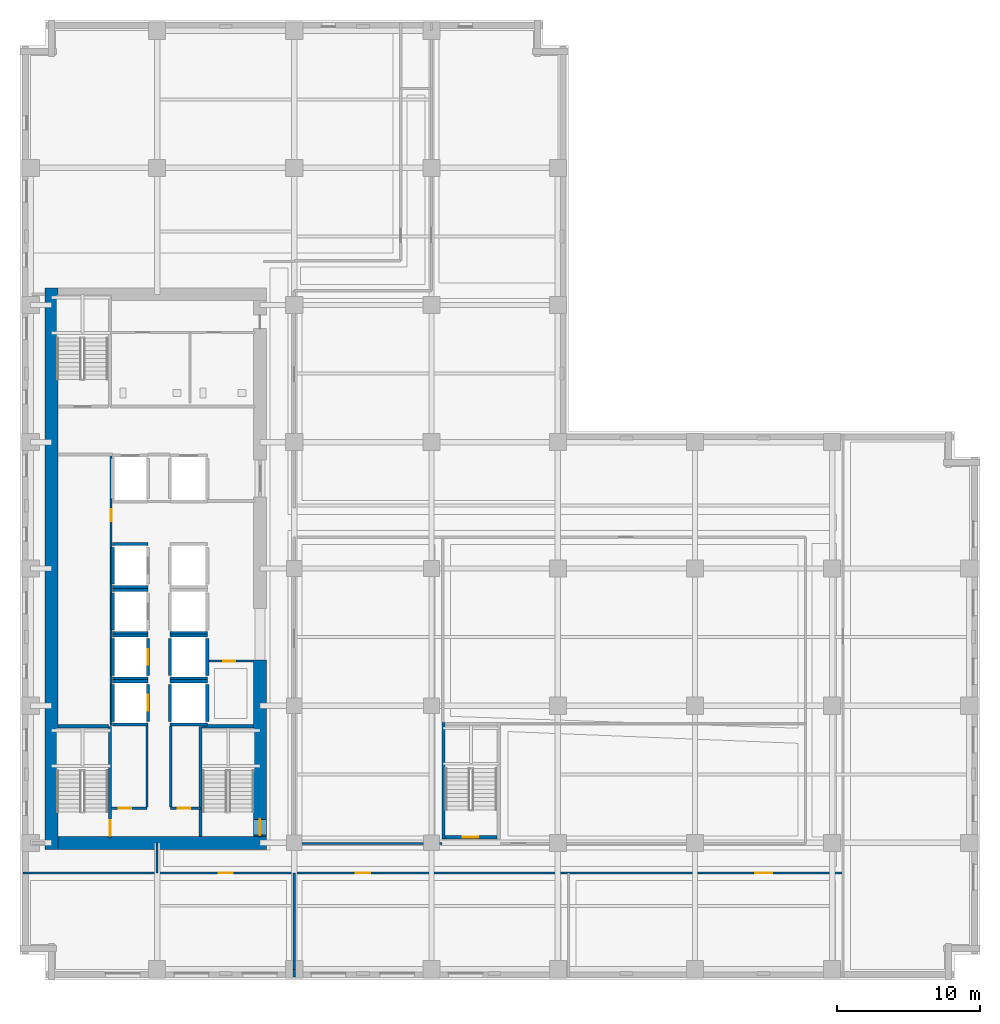
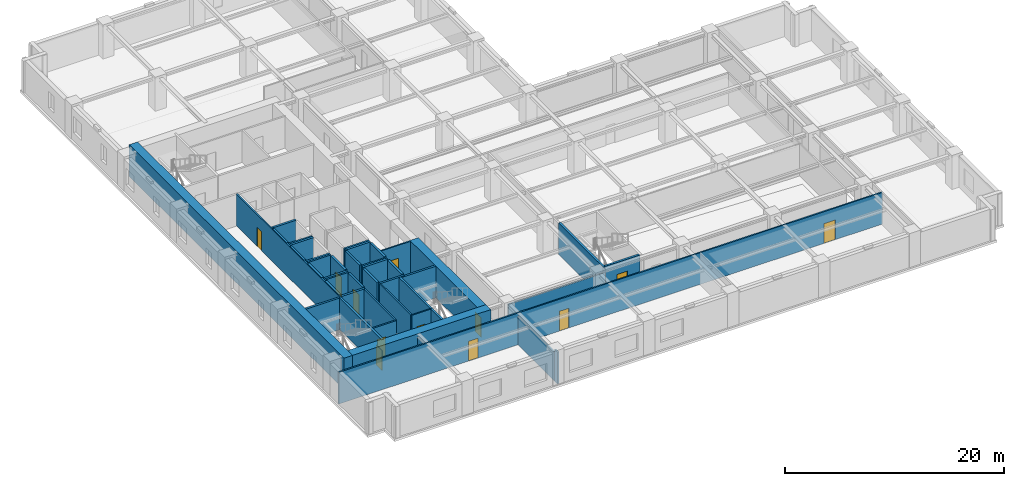
# One storey, part 4 of 13: 43 walls, 12 doors, 12 openings.
"""IFC4 building model written with IfcOpenShell, lengths in metres."""

from ifc_helpers import new_model, si_unit, direction, frame, frame_2d, origin, place, context, subcontext, project, spatial, rectangle, extrude, material, layer, layer_set, type_object, element, fill, save


model = new_model("IFC4")

# Units and contexts
model_context = context("Model", 3, precision=1e-05, world=origin(), true_north=direction((0.0, 1.0)))
body_context = subcontext(model_context, "Body", "Model", "MODEL_VIEW")
ifc_project = project(units=[si_unit("LENGTHUNIT", "METRE"), si_unit("AREAUNIT", "SQUARE_METRE"), si_unit("VOLUMEUNIT", "CUBIC_METRE"), si_unit("PLANEANGLEUNIT", "RADIAN"), si_unit("MASSUNIT", "GRAM", prefix="KILO")], contexts=[model_context])

# Site, building, storey
site_placement = place(None, origin())
site = spatial("IfcSite", under=ifc_project, at=site_placement, CompositionType="ELEMENT")
building_placement = place(site_placement, origin())
building = spatial("IfcBuilding", under=site, at=building_placement, Name="Norrvale University Quadrangle", CompositionType="ELEMENT")
storey_placement = place(building_placement, frame((0.0, 0.0, 47.0)))
storey = spatial("IfcBuildingStorey", under=building, at=storey_placement, Name="L11", CompositionType="ELEMENT", Elevation=47.0)

# Walls
ifc_material_1 = material(Name="Concrete C80/95", Category="concrete")
ifc_layer_1 = layer(ifc_material_1, 0.89990234375, Name="Concrete C80/95")
ifc_layer_set_1 = layer_set([ifc_layer_1], Name="Concrete C80/95")
wall_type_1 = type_object("IfcWallType", Name="Wall Core 900", PredefinedType="SHEAR", material=ifc_layer_set_1)
wall_1_placement = place(storey_placement, frame((2.64990234375, 9.60009765625, 0.0), z_axis=(0.0, 0.0, 1.0), x_axis=(1.0, 0.0, 0.0)))
element("IfcWall", 1, at=wall_1_placement, inside=storey, type_object=wall_type_1, Name="Tower Core Shear Wall L11-S", PredefinedType="SHEAR", context=body_context, shape_type="SweptSolid", body=[
    extrude(rectangle(XDim=14.60009765625, YDim=0.89990234375, at=frame_2d((7.300048828125, 0.0))), origin(), (0.0, 0.0, 1.0), 3.5400390625),
])
wall_2_placement = place(storey_placement, frame((2.199951171875, 9.14990234375, 0.0), z_axis=(0.0, 0.0, 1.0), x_axis=(0.0, 1.0, 0.0)))
element("IfcWall", 2, at=wall_2_placement, inside=storey, type_object=wall_type_1, Name="Tower Core Shear Wall L11-W", PredefinedType="SHEAR", context=body_context, shape_type="SweptSolid", body=[
    extrude(rectangle(XDim=39.300048828125, YDim=0.89990234375, at=frame_2d((19.64990234375, 0.0))), origin(), (0.0, 0.0, 1.0), 3.5400390625),
])

# Wall, opening, door
wall_3_placement = place(storey_placement, frame((16.800048828125, 10.050048828125, 0.0), z_axis=(0.0, 0.0, 1.0), x_axis=(0.0, 1.0, 0.0)))
wall_3 = element("IfcWall", 3, at=wall_3_placement, inside=storey, type_object=wall_type_1, Name="Tower Core Shear Wall L11-E1", PredefinedType="SHEAR", context=body_context, shape_type="SweptSolid", body=[
    extrude(rectangle(XDim=12.349853515625, YDim=0.89990234375, at=frame_2d((6.1748046875, 0.0))), origin(), (0.0, 0.0, 1.0), 3.5400390625),
])
opening_1_placement = place(wall_3_placement, frame((0.090087890625, 0.0, 0.0)))
opening_1 = element("IfcOpeningElement", 4, at=opening_1_placement, cuts=wall_3, Name="Opening D02", PredefinedType="OPENING", context=body_context, shape_type="SweptSolid", body=[
    extrude(rectangle(XDim=1.10009765625, YDim=2.199951171875, at=frame_2d((0.550048828125, 1.10009765625))), frame((0.0, 0.4619140625, 0.0), z_axis=(0.0, -1.0, 0.0), x_axis=(1.0, 0.0, 0.0)), (0.0, 0.0, 1.0), 0.923828125),
])
ifc_material_2 = material(Name="Hollow Steel 350W Fire Door", Category="steel")
door_type_1 = type_object("IfcDoorType", Name="Door Stair Exit 1100x2200", OperationType="NOTDEFINED", PredefinedType="DOOR", material=ifc_material_2)
door_1_placement = place(opening_1_placement, origin())
door_1 = element("IfcDoor", 5, at=door_1_placement, inside=storey, type_object=door_type_1, Name="Door Stair Exit 1100x2200 DR-L11-ST03", OperationType="SINGLE_SWING_LEFT", OverallHeight=2.199951171875, OverallWidth=1.10009765625, PredefinedType="DOOR", context=body_context, shape_type="SweptSolid", body=[
    extrude(rectangle(XDim=1.10009765625, YDim=2.199951171875, at=frame_2d((0.550048828125, 1.10009765625))), frame((0.0, 0.02490234375, 0.0), z_axis=(0.0, -1.0, 0.0), x_axis=(1.0, 0.0, 0.0)), (0.0, 0.0, 1.0), 0.050048828125),
])
fill(opening_1, door_1)

ifc_material_3 = material(Name="Fire-Rated Gypsum Stud Partition")
ifc_layer_2 = layer(ifc_material_3, 0.14990234375, Name="Fire-Rated Gypsum Stud Partition")
ifc_layer_set_2 = layer_set([ifc_layer_2], Name="Fire-Rated Gypsum Stud Partition")
wall_type_2 = type_object("IfcWallType", Name="Wall Gypsum Corridor 150", PredefinedType="PARTITIONING", material=ifc_layer_set_2)
wall_4_placement = place(storey_placement, frame((6.419921875, 12.02001953125, 0.0), z_axis=(0.0, 0.0, 1.0), x_axis=(1.0, 0.0, 0.0)))
wall_4 = element("IfcWall", 6, at=wall_4_placement, inside=storey, type_object=wall_type_2, Name="Interior Partition WL-L11-SC-NL", PredefinedType="PARTITIONING", context=body_context, shape_type="SweptSolid", body=[
    extrude(rectangle(XDim=2.47998046875, YDim=0.14990234375, at=frame_2d((1.239990234375, 0.0))), origin(), (0.0, 0.0, 1.0), 3.5400390625),
])
opening_2_placement = place(wall_4_placement, frame((0.5, 0.0, 0.0)))
opening_2 = element("IfcOpeningElement", 7, at=opening_2_placement, cuts=wall_4, Name="Opening D10", PredefinedType="OPENING", context=body_context, shape_type="SweptSolid", body=[
    extrude(rectangle(XDim=0.85009765625, YDim=2.10009765625, at=frame_2d((0.425048828125, 1.050048828125))), frame((0.0, 0.0869140625, 0.0), z_axis=(0.0, -1.0, 0.0), x_axis=(1.0, 0.0, 0.0)), (0.0, 0.0, 1.0), 0.173828125),
])
ifc_material_4 = material(Name="Hollow Steel 350W Riser Fire Door", Category="steel")
door_type_2 = type_object("IfcDoorType", Name="Door Riser 850x2100", OperationType="NOTDEFINED", PredefinedType="DOOR", material=ifc_material_4)
door_2_placement = place(opening_2_placement, origin())
door_2 = element("IfcDoor", 8, at=door_2_placement, inside=storey, type_object=door_type_2, Name="Door Riser 850x2100 DR-L11-ELEC", OperationType="SINGLE_SWING_LEFT", OverallHeight=2.10009765625, OverallWidth=0.85009765625, PredefinedType="DOOR", context=body_context, shape_type="SweptSolid", body=[
    extrude(rectangle(XDim=0.85009765625, YDim=2.10009765625, at=frame_2d((0.425048828125, 1.050048828125))), frame((0.0, 0.02490234375, 0.0), z_axis=(0.0, -1.0, 0.0), x_axis=(1.0, 0.0, 0.0)), (0.0, 0.0, 1.0), 0.050048828125),
])
fill(opening_2, door_2)

wall_5_placement = place(storey_placement, frame((10.550048828125, 12.02001953125, 0.0), z_axis=(0.0, 0.0, 1.0), x_axis=(1.0, 0.0, 0.0)))
wall_5 = element("IfcWall", 9, at=wall_5_placement, inside=storey, type_object=wall_type_2, Name="Interior Partition WL-L11-SC-NR", PredefinedType="PARTITIONING", context=body_context, shape_type="SweptSolid", body=[
    extrude(rectangle(XDim=2.079833984375, YDim=0.14990234375, at=frame_2d((1.0400390625, 0.0))), origin(), (0.0, 0.0, 1.0), 3.5400390625),
])
opening_3_placement = place(wall_5_placement, frame((0.5, 0.0, 0.0)))
opening_3 = element("IfcOpeningElement", 10, at=opening_3_placement, cuts=wall_5, Name="Opening D10", PredefinedType="OPENING", context=body_context, shape_type="SweptSolid", body=[
    extrude(rectangle(XDim=0.85009765625, YDim=2.10009765625, at=frame_2d((0.425048828125, 1.050048828125))), frame((0.0, 0.0869140625, 0.0), z_axis=(0.0, -1.0, 0.0), x_axis=(1.0, 0.0, 0.0)), (0.0, 0.0, 1.0), 0.173828125),
])
door_3_placement = place(opening_3_placement, origin())
door_3 = element("IfcDoor", 11, at=door_3_placement, inside=storey, type_object=door_type_2, Name="Door Riser 850x2100 DR-L11-IDF", OperationType="SINGLE_SWING_RIGHT", OverallHeight=2.10009765625, OverallWidth=0.85009765625, PredefinedType="DOOR", context=body_context, shape_type="SweptSolid", body=[
    extrude(rectangle(XDim=0.85009765625, YDim=2.10009765625, at=frame_2d((0.425048828125, 1.050048828125))), frame((0.0, 0.02490234375, 0.0), z_axis=(0.0, -1.0, 0.0), x_axis=(1.0, 0.0, 0.0)), (0.0, 0.0, 1.0), 0.050048828125),
])
fill(opening_3, door_3)

# Walls
for number, where, z_axis, x_axis, name in (
    (12, (8.89990234375, 12.094970703125, 0.0), (0.0, 0.0, 1.0), (0.0, 1.0, 0.0), "Interior Partition WL-L11-SC-WL"),
    (13, (10.550048828125, 12.094970703125, 0.0), (0.0, 0.0, 1.0), (0.0, 1.0, 0.0), "Interior Partition WL-L11-SC-WR"),
):
    element("IfcWall", number, at=place(storey_placement, frame(where, z_axis=z_axis, x_axis=x_axis)), inside=storey, type_object=wall_type_2, Name=name, PredefinedType="PARTITIONING", context=body_context, shape_type="SweptSolid", body=[
        extrude(rectangle(XDim=5.679931640625, YDim=0.14990234375, at=frame_2d((2.83984375, 0.0))), origin(), (0.0, 0.0, 1.0), 3.5400390625),
    ])

# Wall, opening, door
wall_6_placement = place(storey_placement, frame((13.22509765625, 22.320068359375, 0.0), z_axis=(0.0, 0.0, 1.0), x_axis=(1.0, 0.0, 0.0)))
wall_6 = element("IfcWall", 14, at=wall_6_placement, inside=storey, type_object=wall_type_2, Name="Interior Partition WL-L11-JAN-N", PredefinedType="PARTITIONING", context=body_context, shape_type="SweptSolid", body=[
    extrude(rectangle(XDim=3.119873046875, YDim=0.14990234375, at=frame_2d((1.56005859375, 0.0))), origin(), (0.0, 0.0, 1.0), 3.5400390625),
])
opening_4_placement = place(wall_6_placement, frame((1.0, 0.0, 0.0)))
opening_4 = element("IfcOpeningElement", 15, at=opening_4_placement, cuts=wall_6, Name="Opening D10", PredefinedType="OPENING", context=body_context, shape_type="SweptSolid", body=[
    extrude(rectangle(XDim=0.85009765625, YDim=2.10009765625, at=frame_2d((0.425048828125, 1.050048828125))), frame((0.0, 0.0869140625, 0.0), z_axis=(0.0, -1.0, 0.0), x_axis=(1.0, 0.0, 0.0)), (0.0, 0.0, 1.0), 0.173828125),
])
door_4_placement = place(opening_4_placement, origin())
door_4 = element("IfcDoor", 16, at=door_4_placement, inside=storey, type_object=door_type_2, Name="Door Riser 850x2100 DR-L11-JAN", OperationType="SINGLE_SWING_LEFT", OverallHeight=2.10009765625, OverallWidth=0.85009765625, PredefinedType="DOOR", context=body_context, shape_type="SweptSolid", body=[
    extrude(rectangle(XDim=0.85009765625, YDim=2.10009765625, at=frame_2d((0.425048828125, 1.050048828125))), frame((0.0, 0.02490234375, 0.0), z_axis=(0.0, -1.0, 0.0), x_axis=(1.0, 0.0, 0.0)), (0.0, 0.0, 1.0), 0.050048828125),
])
fill(opening_4, door_4)

wall_7_placement = place(storey_placement, frame((6.3798828125, 17.800048828125, 0.0), z_axis=(0.0, 0.0, 1.0), x_axis=(0.0, 1.0, 0.0)))
wall_7 = element("IfcWall", 17, at=wall_7_placement, inside=storey, type_object=wall_type_2, Name="Interior Partition WL-L11-WME-E", PredefinedType="PARTITIONING", context=body_context, shape_type="SweptSolid", body=[
    extrude(rectangle(XDim=18.97998046875, YDim=0.14990234375, at=frame_2d((9.489990234375, 0.0))), origin(), (0.0, 0.0, 1.0), 3.5400390625),
])
opening_5_placement = place(wall_7_placement, frame((14.300048828125, 0.0, 0.0)))
opening_5 = element("IfcOpeningElement", 18, at=opening_5_placement, cuts=wall_7, Name="Opening D10", PredefinedType="OPENING", context=body_context, shape_type="SweptSolid", body=[
    extrude(rectangle(XDim=0.85009765625, YDim=2.10009765625, at=frame_2d((0.425048828125, 1.050048828125))), frame((0.0, 0.0869140625, 0.0), z_axis=(0.0, -1.0, 0.0), x_axis=(1.0, 0.0, 0.0)), (0.0, 0.0, 1.0), 0.173828125),
])
door_5_placement = place(opening_5_placement, origin())
door_5 = element("IfcDoor", 19, at=door_5_placement, inside=storey, type_object=door_type_2, Name="Door Riser 850x2100 DR-L11-WME", OperationType="SINGLE_SWING_LEFT", OverallHeight=2.10009765625, OverallWidth=0.85009765625, PredefinedType="DOOR", context=body_context, shape_type="SweptSolid", body=[
    extrude(rectangle(XDim=0.85009765625, YDim=2.10009765625, at=frame_2d((0.425048828125, 1.050048828125))), frame((0.0, 0.02490234375, 0.0), z_axis=(0.0, -1.0, 0.0), x_axis=(1.0, 0.0, 0.0)), (0.0, 0.0, 1.0), 0.050048828125),
])
fill(opening_5, door_5)

# Wall
wall_8_placement = place(storey_placement, frame((9.60009765625, 7.5, 0.0), z_axis=(0.0, 0.0, 1.0), x_axis=(0.0, 1.0, 0.0)))
element("IfcWall", 20, at=wall_8_placement, inside=storey, type_object=wall_type_2, Name="Interior Partition WL-L11-CSW-END", PredefinedType="PARTITIONING", context=body_context, shape_type="SweptSolid", body=[
    extrude(rectangle(XDim=2.10009765625, YDim=0.14990234375, at=frame_2d((1.050048828125, 0.0))), origin(), (0.0, 0.0, 1.0), 3.18408203125),
])

# Wall, openings, doors
wall_9_placement = place(storey_placement, frame((0.219970703125, 7.5, 0.0), z_axis=(0.0, 0.0, 1.0), x_axis=(1.0, 0.0, 0.0)))
wall_9 = element("IfcWall", 21, at=wall_9_placement, inside=storey, type_object=wall_type_2, Name="Interior Partition WL-L11-SCW", PredefinedType="PARTITIONING", context=body_context, shape_type="SweptSolid", body=[
    extrude(rectangle(XDim=57.380126953125, YDim=0.14990234375, at=frame_2d((28.68994140625, 0.0))), origin(), (0.0, 0.0, 1.0), 3.5400390625),
])
opening_6_placement = place(wall_9_placement, frame((13.679931640625, 0.0, 0.0)))
opening_6 = element("IfcOpeningElement", 22, at=opening_6_placement, cuts=wall_9, Name="Opening D04", PredefinedType="OPENING", context=body_context, shape_type="SweptSolid", body=[
    extrude(rectangle(XDim=1.0, YDim=2.199951171875, at=frame_2d((0.5, 1.10009765625))), frame((0.0, 0.0869140625, 0.0), z_axis=(0.0, -1.0, 0.0), x_axis=(1.0, 0.0, 0.0)), (0.0, 0.0, 1.0), 0.173828125),
])
opening_7_placement = place(wall_9_placement, frame((23.280029296875, 0.0, 0.0)))
opening_7 = element("IfcOpeningElement", 23, at=opening_7_placement, cuts=wall_9, Name="Opening D04", PredefinedType="OPENING", context=body_context, shape_type="SweptSolid", body=[
    extrude(rectangle(XDim=1.0, YDim=2.199951171875, at=frame_2d((0.5, 1.10009765625))), frame((0.0, 0.0869140625, 0.0), z_axis=(0.0, -1.0, 0.0), x_axis=(1.0, 0.0, 0.0)), (0.0, 0.0, 1.0), 0.173828125),
])
opening_8_placement = place(wall_9_placement, frame((51.22998046875, 0.0, 0.0)))
opening_8 = element("IfcOpeningElement", 24, at=opening_8_placement, cuts=wall_9, Name="Opening D05", PredefinedType="OPENING", context=body_context, shape_type="SweptSolid", body=[
    extrude(rectangle(XDim=1.199951171875, YDim=2.199951171875, at=frame_2d((0.60009765625, 1.10009765625))), frame((0.0, 0.0869140625, 0.0), z_axis=(0.0, -1.0, 0.0), x_axis=(1.0, 0.0, 0.0)), (0.0, 0.0, 1.0), 0.173828125),
])
ifc_material_5 = material(Name="Acoustic Oak Classroom Door", Category="wood")
door_type_3 = type_object("IfcDoorType", Name="Door Classroom 1200x2200", OperationType="NOTDEFINED", PredefinedType="DOOR", material=ifc_material_5)
door_6_placement = place(opening_8_placement, origin())
door_6 = element("IfcDoor", 25, at=door_6_placement, inside=storey, type_object=door_type_3, Name="Door Classroom 1200x2200 DR-L11-S03", OperationType="SINGLE_SWING_LEFT", OverallHeight=2.199951171875, OverallWidth=1.199951171875, PredefinedType="DOOR", context=body_context, shape_type="SweptSolid", body=[
    extrude(rectangle(XDim=1.199951171875, YDim=2.199951171875, at=frame_2d((0.60009765625, 1.10009765625))), frame((0.0, 0.02490234375, 0.0), z_axis=(0.0, -1.0, 0.0), x_axis=(1.0, 0.0, 0.0)), (0.0, 0.0, 1.0), 0.050048828125),
])
fill(opening_8, door_6)
ifc_material_6 = material(Name="Solid-Core Oak Fire Door", Category="wood")
door_type_4 = type_object("IfcDoorType", Name="Door Corridor 1000x2200", OperationType="NOTDEFINED", PredefinedType="DOOR", material=ifc_material_6)
door_7_placement = place(opening_6_placement, origin())
door_7 = element("IfcDoor", 26, at=door_7_placement, inside=storey, type_object=door_type_4, Name="Door Corridor 1000x2200 DR-L11-S01", OperationType="SINGLE_SWING_LEFT", OverallHeight=2.199951171875, OverallWidth=1.0, PredefinedType="DOOR", context=body_context, shape_type="SweptSolid", body=[
    extrude(rectangle(XDim=1.0, YDim=2.199951171875, at=frame_2d((0.5, 1.10009765625))), frame((0.0, 0.02490234375, 0.0), z_axis=(0.0, -1.0, 0.0), x_axis=(1.0, 0.0, 0.0)), (0.0, 0.0, 1.0), 0.050048828125),
])
fill(opening_6, door_7)
door_8_placement = place(opening_7_placement, origin())
door_8 = element("IfcDoor", 27, at=door_8_placement, inside=storey, type_object=door_type_4, Name="Door Corridor 1000x2200 DR-L11-S02", OperationType="SINGLE_SWING_RIGHT", OverallHeight=2.199951171875, OverallWidth=1.0, PredefinedType="DOOR", context=body_context, shape_type="SweptSolid", body=[
    extrude(rectangle(XDim=1.0, YDim=2.199951171875, at=frame_2d((0.5, 1.10009765625))), frame((0.0, 0.02490234375, 0.0), z_axis=(0.0, -1.0, 0.0), x_axis=(1.0, 0.0, 0.0)), (0.0, 0.0, 1.0), 0.050048828125),
])
fill(opening_7, door_8)

# Walls
wall_10_placement = place(storey_placement, frame((19.280029296875, 9.550048828125, 0.0), z_axis=(0.0, 0.0, 1.0), x_axis=(1.0, 0.0, 0.0)))
element("IfcWall", 28, at=wall_10_placement, inside=storey, type_object=wall_type_2, Name="Interior Partition WL-L11-ISLS1", PredefinedType="PARTITIONING", context=body_context, shape_type="SweptSolid", body=[
    extrude(rectangle(XDim=10.244873046875, YDim=0.14990234375, at=frame_2d((5.12255859375, 0.0))), origin(), (0.0, 0.0, 1.0), 3.18408203125),
])
ifc_material_7 = material(Name="Sanitary Chase Gypsum Partition")
ifc_layer_3 = layer(ifc_material_7, 0.1650390625, Name="Sanitary Chase Gypsum Partition")
ifc_layer_set_3 = layer_set([ifc_layer_3], Name="Sanitary Chase Gypsum Partition")
wall_type_3 = type_object("IfcWallType", Name="Wall Gypsum Sanitary 165", PredefinedType="PLUMBINGWALL", material=ifc_layer_set_3)
wall_11_placement = place(storey_placement, frame((19.199951171875, 0.219970703125, 0.0), z_axis=(0.0, 0.0, 1.0), x_axis=(0.0, 1.0, 0.0)))
element("IfcWall", 29, at=wall_11_placement, inside=storey, type_object=wall_type_3, Name="Interior Partition WL-L11-SP01", PredefinedType="PLUMBINGWALL", context=body_context, shape_type="SweptSolid", body=[
    extrude(rectangle(XDim=0.530029296875, YDim=0.1650390625, at=frame_2d((0.26513671875, 0.0))), origin(), (0.0, 0.0, 1.0), 3.5400390625),
])
wall_12_placement = place(storey_placement, frame((19.199951171875, 0.75, 0.0), z_axis=(0.0, 0.0, 1.0), x_axis=(0.0, 1.0, 0.0)))
element("IfcWall", 30, at=wall_12_placement, inside=storey, type_object=wall_type_3, Name="Interior Partition WL-L11-SP01-B2", PredefinedType="PLUMBINGWALL", context=body_context, shape_type="SweptSolid", body=[
    extrude(rectangle(XDim=6.75, YDim=0.1650390625, at=frame_2d((3.375, 0.0))), origin(), (0.0, 0.0, 1.0), 3.18408203125),
])

# Wall, opening, door
ifc_material_8 = material(Name="Concrete Blockwork 20 MPa Fire Shaft", Category="masonry")
ifc_layer_4 = layer(ifc_material_8, 0.219970703125, Name="Concrete Blockwork 20 MPa Fire Shaft")
ifc_layer_set_4 = layer_set([ifc_layer_4], Name="Concrete Blockwork 20 MPa Fire Shaft")
wall_type_4 = type_object("IfcWallType", Name="Wall Shaft 220", PredefinedType="SOLIDWALL", material=ifc_layer_set_4)
wall_13_placement = place(storey_placement, frame((6.31005859375, 9.949951171875, 0.0), z_axis=(0.0, 0.0, 1.0), x_axis=(0.0, 1.0, 0.0)))
wall_13 = element("IfcWall", 31, at=wall_13_placement, inside=storey, type_object=wall_type_4, Name="Stair ST-01 East Shaft Wall L11", PredefinedType="SOLIDWALL", context=body_context, shape_type="SweptSolid", body=[
    extrude(rectangle(XDim=7.81005859375, YDim=0.219970703125, at=frame_2d((3.905029296875, 0.0))), origin(), (0.0, 0.0, 1.0), 3.5400390625),
])
opening_9_placement = place(wall_13_placement, frame((0.139892578125, 0.0, 0.0)))
opening_9 = element("IfcOpeningElement", 32, at=opening_9_placement, cuts=wall_13, Name="Opening D02", PredefinedType="OPENING", context=body_context, shape_type="SweptSolid", body=[
    extrude(rectangle(XDim=1.10009765625, YDim=2.199951171875, at=frame_2d((0.550048828125, 1.10009765625))), frame((0.0, 0.1220703125, 0.0), z_axis=(0.0, -1.0, 0.0), x_axis=(1.0, 0.0, 0.0)), (0.0, 0.0, 1.0), 0.243896484375),
])
door_9_placement = place(opening_9_placement, origin())
door_9 = element("IfcDoor", 33, at=door_9_placement, inside=storey, type_object=door_type_1, Name="Door Stair Exit 1100x2200 DR-L11-ST01", OperationType="SINGLE_SWING_LEFT", OverallHeight=2.199951171875, OverallWidth=1.10009765625, PredefinedType="DOOR", context=body_context, shape_type="SweptSolid", body=[
    extrude(rectangle(XDim=1.10009765625, YDim=2.199951171875, at=frame_2d((0.550048828125, 1.10009765625))), frame((0.0, 0.02490234375, 0.0), z_axis=(0.0, -1.0, 0.0), x_axis=(1.0, 0.0, 0.0)), (0.0, 0.0, 1.0), 0.050048828125),
])
fill(opening_9, door_9)

# Walls
wall_14_placement = place(storey_placement, frame((2.64990234375, 17.760009765625, 0.0), z_axis=(0.0, 0.0, 1.0), x_axis=(1.0, 0.0, 0.0)))
element("IfcWall", 34, at=wall_14_placement, inside=storey, type_object=wall_type_4, Name="Stair ST-01 North Shaft Wall L11", PredefinedType="SOLIDWALL", context=body_context, shape_type="SweptSolid", body=[
    extrude(rectangle(XDim=3.550048828125, YDim=0.219970703125, at=frame_2d((1.77490234375, 0.0))), origin(), (0.0, 0.0, 1.0), 3.5400390625),
])
wall_15_placement = place(storey_placement, frame((12.639892578125, 10.050048828125, 0.0), z_axis=(0.0, 0.0, 1.0), x_axis=(0.0, 1.0, 0.0)))
element("IfcWall", 35, at=wall_15_placement, inside=storey, type_object=wall_type_4, Name="Stair ST-03 West Shaft Wall L11", PredefinedType="SOLIDWALL", context=body_context, shape_type="SweptSolid", body=[
    extrude(rectangle(XDim=7.7099609375, YDim=0.219970703125, at=frame_2d((3.85498046875, 0.0))), origin(), (0.0, 0.0, 1.0), 3.5400390625),
])
wall_16_placement = place(storey_placement, frame((12.75, 17.760009765625, 0.0), z_axis=(0.0, 0.0, 1.0), x_axis=(1.0, 0.0, 0.0)))
element("IfcWall", 36, at=wall_16_placement, inside=storey, type_object=wall_type_4, Name="Stair ST-03 North Shaft Wall L11", PredefinedType="SOLIDWALL", context=body_context, shape_type="SweptSolid", body=[
    extrude(rectangle(XDim=3.60009765625, YDim=0.219970703125, at=frame_2d((1.800048828125, 0.0))), origin(), (0.0, 0.0, 1.0), 3.5400390625),
])

# Wall, opening, door
wall_17_placement = place(storey_placement, frame((29.75, 9.989990234375, 0.0), z_axis=(0.0, 0.0, 1.0), x_axis=(1.0, 0.0, 0.0)))
wall_17 = element("IfcWall", 37, at=wall_17_placement, inside=storey, type_object=wall_type_4, Name="Stair ST-04 South Shaft Wall L11", PredefinedType="SOLIDWALL", context=body_context, shape_type="SweptSolid", body=[
    extrude(rectangle(XDim=3.64990234375, YDim=0.219970703125, at=frame_2d((1.824951171875, 0.0))), origin(), (0.0, 0.0, 1.0), 3.5400390625),
])
opening_10_placement = place(wall_17_placement, frame((1.239990234375, 0.0, 0.0)))
opening_10 = element("IfcOpeningElement", 38, at=opening_10_placement, cuts=wall_17, Name="Opening D02", PredefinedType="OPENING", context=body_context, shape_type="SweptSolid", body=[
    extrude(rectangle(XDim=1.10009765625, YDim=2.199951171875, at=frame_2d((0.550048828125, 1.10009765625))), frame((0.0, 0.1220703125, 0.0), z_axis=(0.0, -1.0, 0.0), x_axis=(1.0, 0.0, 0.0)), (0.0, 0.0, 1.0), 0.243896484375),
])
door_10_placement = place(opening_10_placement, origin())
door_10 = element("IfcDoor", 39, at=door_10_placement, inside=storey, type_object=door_type_1, Name="Door Stair Exit 1100x2200 DR-L11-ST04", OperationType="SINGLE_SWING_LEFT", OverallHeight=2.199951171875, OverallWidth=1.10009765625, PredefinedType="DOOR", context=body_context, shape_type="SweptSolid", body=[
    extrude(rectangle(XDim=1.10009765625, YDim=2.199951171875, at=frame_2d((0.550048828125, 1.10009765625))), frame((0.0, 0.02490234375, 0.0), z_axis=(0.0, -1.0, 0.0), x_axis=(1.0, 0.0, 0.0)), (0.0, 0.0, 1.0), 0.050048828125),
])
fill(opening_10, door_10)

# Walls
wall_18_placement = place(storey_placement, frame((29.639892578125, 9.8798828125, 0.0), z_axis=(0.0, 0.0, 1.0), x_axis=(0.0, 1.0, 0.0)))
element("IfcWall", 40, at=wall_18_placement, inside=storey, type_object=wall_type_4, Name="Stair ST-04 West Shaft Wall L11", PredefinedType="SOLIDWALL", context=body_context, shape_type="SweptSolid", body=[
    extrude(rectangle(XDim=8.14013671875, YDim=0.219970703125, at=frame_2d((4.070068359375, 0.0))), origin(), (0.0, 0.0, 1.0), 3.5400390625),
])
wall_19_placement = place(storey_placement, frame((6.489990234375, 18.110107421875, 0.0), z_axis=(0.0, 0.0, 1.0), x_axis=(0.0, 1.0, 0.0)))
element("IfcWall", 41, at=wall_19_placement, inside=storey, type_object=wall_type_4, Name="Hoistway PL-01 West Wall L11", PredefinedType="SOLIDWALL", context=body_context, shape_type="SweptSolid", body=[
    extrude(rectangle(XDim=2.579833984375, YDim=0.219970703125, at=frame_2d((1.2900390625, 0.0))), origin(), (0.0, 0.0, 1.0), 3.5400390625),
])

# Wall, opening, door
wall_20_placement = place(storey_placement, frame((8.9599609375, 18.110107421875, 0.0), z_axis=(0.0, 0.0, 1.0), x_axis=(0.0, 1.0, 0.0)))
wall_20 = element("IfcWall", 42, at=wall_20_placement, inside=storey, type_object=wall_type_4, Name="Hoistway PL-01 East Wall L11", PredefinedType="SOLIDWALL", context=body_context, shape_type="SweptSolid", body=[
    extrude(rectangle(XDim=2.579833984375, YDim=0.219970703125, at=frame_2d((1.2900390625, 0.0))), origin(), (0.0, 0.0, 1.0), 3.5400390625),
])
opening_11_placement = place(wall_20_placement, frame((0.739990234375, 0.0, 0.0)))
opening_11 = element("IfcOpeningElement", 43, at=opening_11_placement, cuts=wall_20, Name="Opening LD1", PredefinedType="OPENING", context=body_context, shape_type="SweptSolid", body=[
    extrude(rectangle(XDim=1.10009765625, YDim=2.199951171875, at=frame_2d((0.550048828125, 1.10009765625))), frame((0.0, 0.1220703125, 0.0), z_axis=(0.0, -1.0, 0.0), x_axis=(1.0, 0.0, 0.0)), (0.0, 0.0, 1.0), 0.243896484375),
])
ifc_material_9 = material(Name="Stainless Steel 316L Lift Landing Door", Category="steel")
door_type_5 = type_object("IfcDoorType", Name="Door Lift Landing 1100x2200", OperationType="DOUBLE_DOOR_SLIDING", PredefinedType="DOOR", material=ifc_material_9)
door_11_placement = place(opening_11_placement, origin())
door_11 = element("IfcDoor", 44, at=door_11_placement, inside=storey, type_object=door_type_5, Name="Elevator Landing Door DR-L11-PL-01", OperationType="DOUBLE_DOOR_SLIDING", OverallHeight=2.199951171875, OverallWidth=1.10009765625, PredefinedType="DOOR", context=body_context, shape_type="SweptSolid", body=[
    extrude(rectangle(XDim=1.10009765625, YDim=2.199951171875, at=frame_2d((0.550048828125, 1.10009765625))), frame((0.0, 0.02490234375, 0.0), z_axis=(0.0, -1.0, 0.0), x_axis=(1.0, 0.0, 0.0)), (0.0, 0.0, 1.0), 0.050048828125),
])
fill(opening_11, door_11)

# Walls
for number, where, z_axis, x_axis, name in (
    (45, (6.489990234375, 17.889892578125, 0.0), (0.0, 0.0, 1.0), (1.0, 0.0, 0.0), "Hoistway PL-01 South Wall L11"),
    (46, (6.489990234375, 20.909912109375, 0.0), (0.0, 0.0, 1.0), (1.0, 0.0, 0.0), "Hoistway PL-01 North Wall L11"),
):
    element("IfcWall", number, at=place(storey_placement, frame(where, z_axis=z_axis, x_axis=x_axis)), inside=storey, type_object=wall_type_4, Name=name, PredefinedType="SOLIDWALL", context=body_context, shape_type="SweptSolid", body=[
        extrude(rectangle(XDim=2.469970703125, YDim=0.219970703125, at=frame_2d((1.23486328125, 0.0))), origin(), (0.0, 0.0, 1.0), 3.5400390625),
    ])
wall_21_placement = place(storey_placement, frame((6.489990234375, 21.31005859375, 0.0), z_axis=(0.0, 0.0, 1.0), x_axis=(0.0, 1.0, 0.0)))
element("IfcWall", 47, at=wall_21_placement, inside=storey, type_object=wall_type_4, Name="Hoistway PL-02 West Wall L11", PredefinedType="SOLIDWALL", context=body_context, shape_type="SweptSolid", body=[
    extrude(rectangle(XDim=2.579833984375, YDim=0.219970703125, at=frame_2d((1.2900390625, 0.0))), origin(), (0.0, 0.0, 1.0), 3.5400390625),
])

# Wall, opening, door
wall_22_placement = place(storey_placement, frame((8.9599609375, 21.31005859375, 0.0), z_axis=(0.0, 0.0, 1.0), x_axis=(0.0, 1.0, 0.0)))
wall_22 = element("IfcWall", 48, at=wall_22_placement, inside=storey, type_object=wall_type_4, Name="Hoistway PL-02 East Wall L11", PredefinedType="SOLIDWALL", context=body_context, shape_type="SweptSolid", body=[
    extrude(rectangle(XDim=2.579833984375, YDim=0.219970703125, at=frame_2d((1.2900390625, 0.0))), origin(), (0.0, 0.0, 1.0), 3.5400390625),
])
opening_12_placement = place(wall_22_placement, frame((0.739990234375, 0.0, 0.0)))
opening_12 = element("IfcOpeningElement", 49, at=opening_12_placement, cuts=wall_22, Name="Opening LD1", PredefinedType="OPENING", context=body_context, shape_type="SweptSolid", body=[
    extrude(rectangle(XDim=1.10009765625, YDim=2.199951171875, at=frame_2d((0.550048828125, 1.10009765625))), frame((0.0, 0.1220703125, 0.0), z_axis=(0.0, -1.0, 0.0), x_axis=(1.0, 0.0, 0.0)), (0.0, 0.0, 1.0), 0.243896484375),
])
door_12_placement = place(opening_12_placement, origin())
door_12 = element("IfcDoor", 50, at=door_12_placement, inside=storey, type_object=door_type_5, Name="Elevator Landing Door DR-L11-PL-02", OperationType="DOUBLE_DOOR_SLIDING", OverallHeight=2.199951171875, OverallWidth=1.10009765625, PredefinedType="DOOR", context=body_context, shape_type="SweptSolid", body=[
    extrude(rectangle(XDim=1.10009765625, YDim=2.199951171875, at=frame_2d((0.550048828125, 1.10009765625))), frame((0.0, 0.02490234375, 0.0), z_axis=(0.0, -1.0, 0.0), x_axis=(1.0, 0.0, 0.0)), (0.0, 0.0, 1.0), 0.050048828125),
])
fill(opening_12, door_12)

# Walls
for number, where, z_axis, x_axis, name in (
    (51, (6.489990234375, 21.090087890625, 0.0), (0.0, 0.0, 1.0), (1.0, 0.0, 0.0), "Hoistway PL-02 South Wall L11"),
    (52, (6.489990234375, 24.110107421875, 0.0), (0.0, 0.0, 1.0), (1.0, 0.0, 0.0), "Hoistway PL-02 North Wall L11"),
):
    element("IfcWall", number, at=place(storey_placement, frame(where, z_axis=z_axis, x_axis=x_axis)), inside=storey, type_object=wall_type_4, Name=name, PredefinedType="SOLIDWALL", context=body_context, shape_type="SweptSolid", body=[
        extrude(rectangle(XDim=2.469970703125, YDim=0.219970703125, at=frame_2d((1.23486328125, 0.0))), origin(), (0.0, 0.0, 1.0), 3.5400390625),
    ])
wall_23_placement = place(storey_placement, frame((6.489990234375, 24.510009765625, 0.0), z_axis=(0.0, 0.0, 1.0), x_axis=(0.0, 1.0, 0.0)))
element("IfcWall", 53, at=wall_23_placement, inside=storey, type_object=wall_type_4, Name="Hoistway PL-03 West Wall L11", PredefinedType="SOLIDWALL", context=body_context, shape_type="SweptSolid", body=[
    extrude(rectangle(XDim=2.580078125, YDim=0.219970703125, at=frame_2d((1.2900390625, 0.0))), origin(), (0.0, 0.0, 1.0), 3.5400390625),
])
for number, where, z_axis, x_axis, name in (
    (54, (6.489990234375, 24.2900390625, 0.0), (0.0, 0.0, 1.0), (1.0, 0.0, 0.0), "Hoistway PL-03 South Wall L11"),
    (55, (6.489990234375, 27.31005859375, 0.0), (0.0, 0.0, 1.0), (1.0, 0.0, 0.0), "Hoistway PL-03 North Wall L11"),
):
    element("IfcWall", number, at=place(storey_placement, frame(where, z_axis=z_axis, x_axis=x_axis)), inside=storey, type_object=wall_type_4, Name=name, PredefinedType="SOLIDWALL", context=body_context, shape_type="SweptSolid", body=[
        extrude(rectangle(XDim=2.469970703125, YDim=0.219970703125, at=frame_2d((1.23486328125, 0.0))), origin(), (0.0, 0.0, 1.0), 3.5400390625),
    ])
wall_24_placement = place(storey_placement, frame((6.489990234375, 27.7099609375, 0.0), z_axis=(0.0, 0.0, 1.0), x_axis=(0.0, 1.0, 0.0)))
element("IfcWall", 56, at=wall_24_placement, inside=storey, type_object=wall_type_4, Name="Hoistway PL-04 West Wall L11", PredefinedType="SOLIDWALL", context=body_context, shape_type="SweptSolid", body=[
    extrude(rectangle(XDim=2.580078125, YDim=0.219970703125, at=frame_2d((1.2900390625, 0.0))), origin(), (0.0, 0.0, 1.0), 3.5400390625),
])
for number, where, z_axis, x_axis, name in (
    (57, (6.489990234375, 27.489990234375, 0.0), (0.0, 0.0, 1.0), (1.0, 0.0, 0.0), "Hoistway PL-04 South Wall L11"),
    (58, (6.489990234375, 30.510009765625, 0.0), (0.0, 0.0, 1.0), (1.0, 0.0, 0.0), "Hoistway PL-04 North Wall L11"),
):
    element("IfcWall", number, at=place(storey_placement, frame(where, z_axis=z_axis, x_axis=x_axis)), inside=storey, type_object=wall_type_4, Name=name, PredefinedType="SOLIDWALL", context=body_context, shape_type="SweptSolid", body=[
        extrude(rectangle(XDim=2.469970703125, YDim=0.219970703125, at=frame_2d((1.23486328125, 0.0))), origin(), (0.0, 0.0, 1.0), 3.5400390625),
    ])
for number, where, z_axis, x_axis, name in (
    (59, (10.489990234375, 18.110107421875, 0.0), (0.0, 0.0, 1.0), (0.0, 1.0, 0.0), "Hoistway PL-05 West Wall L11"),
    (60, (13.110107421875, 18.110107421875, 0.0), (0.0, 0.0, 1.0), (0.0, 1.0, 0.0), "Hoistway PL-05 East Wall L11"),
):
    element("IfcWall", number, at=place(storey_placement, frame(where, z_axis=z_axis, x_axis=x_axis)), inside=storey, type_object=wall_type_4, Name=name, PredefinedType="SOLIDWALL", context=body_context, shape_type="SweptSolid", body=[
        extrude(rectangle(XDim=2.579833984375, YDim=0.219970703125, at=frame_2d((1.2900390625, 0.0))), origin(), (0.0, 0.0, 1.0), 3.5400390625),
    ])
for number, where, z_axis, x_axis, name in (
    (61, (10.489990234375, 17.889892578125, 0.0), (0.0, 0.0, 1.0), (1.0, 0.0, 0.0), "Hoistway PL-05 South Wall L11"),
    (62, (10.489990234375, 20.909912109375, 0.0), (0.0, 0.0, 1.0), (1.0, 0.0, 0.0), "Hoistway PL-05 North Wall L11"),
):
    element("IfcWall", number, at=place(storey_placement, frame(where, z_axis=z_axis, x_axis=x_axis)), inside=storey, type_object=wall_type_4, Name=name, PredefinedType="SOLIDWALL", context=body_context, shape_type="SweptSolid", body=[
        extrude(rectangle(XDim=2.6201171875, YDim=0.219970703125, at=frame_2d((1.31005859375, 0.0))), origin(), (0.0, 0.0, 1.0), 3.5400390625),
    ])
for number, where, z_axis, x_axis, name in (
    (63, (10.489990234375, 21.31005859375, 0.0), (0.0, 0.0, 1.0), (0.0, 1.0, 0.0), "Hoistway PL-06 West Wall L11"),
    (64, (13.110107421875, 21.31005859375, 0.0), (0.0, 0.0, 1.0), (0.0, 1.0, 0.0), "Hoistway PL-06 East Wall L11"),
):
    element("IfcWall", number, at=place(storey_placement, frame(where, z_axis=z_axis, x_axis=x_axis)), inside=storey, type_object=wall_type_4, Name=name, PredefinedType="SOLIDWALL", context=body_context, shape_type="SweptSolid", body=[
        extrude(rectangle(XDim=2.579833984375, YDim=0.219970703125, at=frame_2d((1.2900390625, 0.0))), origin(), (0.0, 0.0, 1.0), 3.5400390625),
    ])
for number, where, z_axis, x_axis, name in (
    (65, (10.489990234375, 21.090087890625, 0.0), (0.0, 0.0, 1.0), (1.0, 0.0, 0.0), "Hoistway PL-06 South Wall L11"),
    (66, (10.489990234375, 24.110107421875, 0.0), (0.0, 0.0, 1.0), (1.0, 0.0, 0.0), "Hoistway PL-06 North Wall L11"),
    (67, (10.489990234375, 24.2900390625, 0.0), (0.0, 0.0, 1.0), (1.0, 0.0, 0.0), "Hoistway PL-07 South Wall L11"),
):
    element("IfcWall", number, at=place(storey_placement, frame(where, z_axis=z_axis, x_axis=x_axis)), inside=storey, type_object=wall_type_4, Name=name, PredefinedType="SOLIDWALL", context=body_context, shape_type="SweptSolid", body=[
        extrude(rectangle(XDim=2.6201171875, YDim=0.219970703125, at=frame_2d((1.31005859375, 0.0))), origin(), (0.0, 0.0, 1.0), 3.5400390625),
    ])

save(model, "model.ifc")
